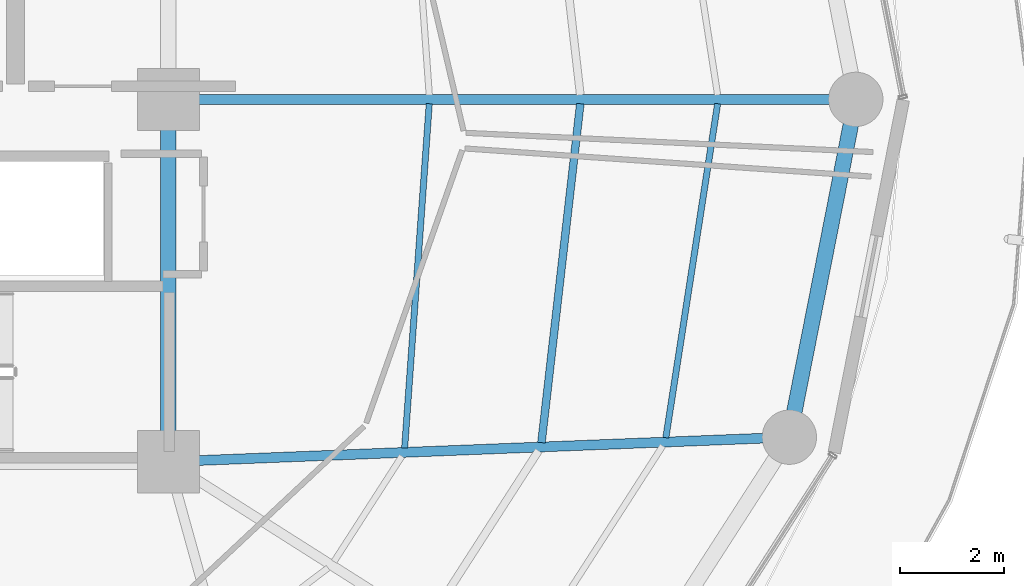
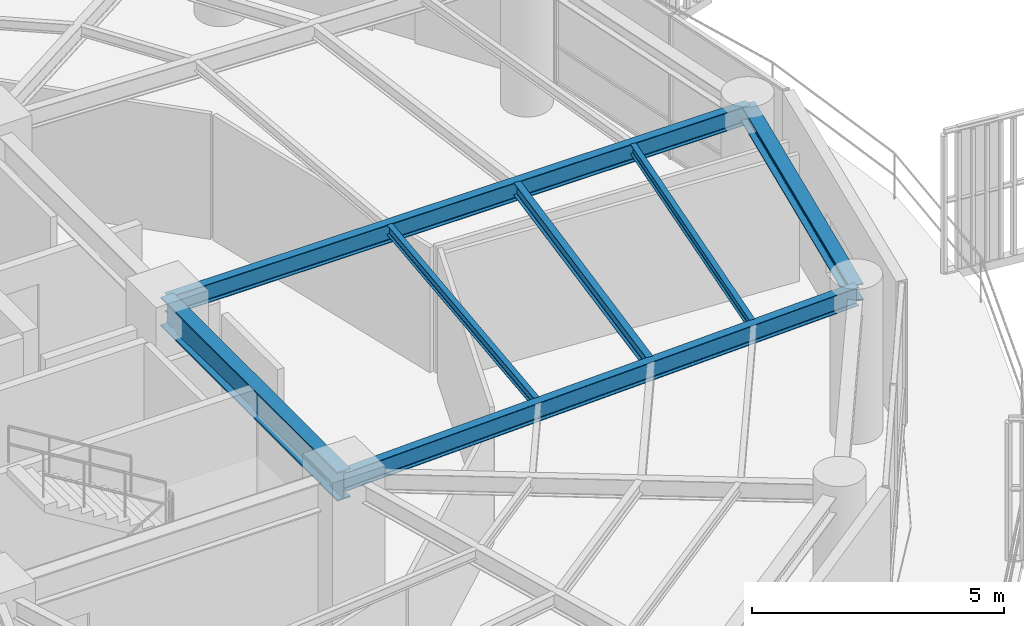
# One storey, part 13 of 31: 7 beams.
"""IFC4 building model written with IfcOpenShell, lengths in metres."""

from ifc_helpers import new_model, si_unit, direction, frame, origin, origin_2d, place, context, subcontext, project, spatial, i_section, extrude, material, material_profile, profile_set, type_object, element, save


model = new_model("IFC4")

# Units and contexts
model_context = context("Model", 3, precision=1e-05, world=origin(), true_north=direction((0.0, 1.0)))
body_context = subcontext(model_context, "Body", "Model", "MODEL_VIEW")
ifc_project = project(units=[si_unit("LENGTHUNIT", "METRE"), si_unit("AREAUNIT", "SQUARE_METRE"), si_unit("VOLUMEUNIT", "CUBIC_METRE"), si_unit("PLANEANGLEUNIT", "RADIAN"), si_unit("MASSUNIT", "GRAM", prefix="KILO")], contexts=[model_context])

# Site, building, storey
site_placement = place(None, origin())
site = spatial("IfcSite", under=ifc_project, at=site_placement, CompositionType="ELEMENT")
building_placement = place(site_placement, origin())
building = spatial("IfcBuilding", under=site, at=building_placement, Name="Kelanora Arch Commons", CompositionType="ELEMENT")
storey_placement = place(building_placement, frame((0.0, 0.0, 193.199951171875)))
storey = spatial("IfcBuildingStorey", under=building, at=storey_placement, Name="L49", CompositionType="ELEMENT", Elevation=193.199951171875)

# Beams
ifc_material = material(Name="Steel S355", Category="steel")
ifc_material_profile_1 = material_profile(ifc_material, i_section(OverallWidth=0.300048828125, OverallDepth=0.699951171875, WebThickness=0.01708984375, FlangeThickness=0.031982421875, FilletRadius=0.027099609375, at=origin_2d()), Name="HEB700")
ifc_profile_set_1 = profile_set([ifc_material_profile_1], Name="Steel S355")
beam_type_1 = type_object("IfcBeamType", Name="BM-CORE-HDR", PredefinedType="BEAM", material=ifc_profile_set_1)
beam_1_placement = place(storey_placement, frame((82.0, 51.0, 3.14013671875), z_axis=(0.0, 1.0, 0.0), x_axis=(-1.0, 0.0, 0.0)))
element("IfcBeam", 1, at=beam_1_placement, inside=storey, type_object=beam_type_1, Name="Core Header Beam 03 L49", PredefinedType="BEAM", context=body_context, shape_type="SweptSolid", body=[
    extrude(i_section(OverallWidth=0.300048828125, OverallDepth=0.699951171875, WebThickness=0.01708984375, FlangeThickness=0.031982421875, FilletRadius=0.027099609375, at=origin_2d()), origin(), (0.0, 0.0, 1.0), 7.0),
])
ifc_material_profile_2 = material_profile(ifc_material, i_section(OverallWidth=0.14990234375, OverallDepth=0.300048828125, WebThickness=0.007080078125, FlangeThickness=0.0107421875, FilletRadius=0.014892578125, at=origin_2d()), Name="IPE300")
ifc_profile_set_2 = profile_set([ifc_material_profile_2], Name="Steel S355")
beam_type_2 = type_object("IfcBeamType", Name="BM-JST-01", PredefinedType="JOIST", material=ifc_profile_set_2)
beam_2_placement = place(storey_placement, frame((89.207763671875, 51.368896484375, 3.340087890625), z_axis=(0.113891408177, 0.993493204377, 0.0), x_axis=(-0.993493204377, 0.113891408177, 0.0)))
element("IfcBeam", 2, at=beam_2_placement, inside=storey, type_object=beam_type_2, Name="Secondary Chord Joist BJB-34 L49", PredefinedType="JOIST", context=body_context, shape_type="SweptSolid", body=[
    extrude(i_section(OverallWidth=0.14990234375, OverallDepth=0.300048828125, WebThickness=0.007080078125, FlangeThickness=0.0107421875, FilletRadius=0.014892578125, at=origin_2d()), origin(), (0.0, 0.0, 1.0), 6.589599609375),
])
ifc_material_profile_3 = material_profile(ifc_material, i_section(OverallWidth=0.1201171875, OverallDepth=0.239990234375, WebThickness=0.006103515625, FlangeThickness=0.009765625, FilletRadius=0.014892578125, at=origin_2d()), Name="IPE240")
ifc_profile_set_3 = profile_set([ifc_material_profile_3], Name="Steel S355")
beam_type_3 = type_object("IfcBeamType", Name="BM-JST-02", PredefinedType="JOIST", material=ifc_profile_set_3)
beam_3_placement = place(storey_placement, frame((86.564697265625, 51.264892578125, 3.3701171875), z_axis=(0.07133032136, 0.997452748382, 0.0), x_axis=(-0.997452748382, 0.07133032136, 0.0)))
element("IfcBeam", 3, at=beam_3_placement, inside=storey, type_object=beam_type_3, Name="Secondary Chord Joist BJA-34 L49", PredefinedType="JOIST", context=body_context, shape_type="SweptSolid", body=[
    extrude(i_section(OverallWidth=0.1201171875, OverallDepth=0.239990234375, WebThickness=0.006103515625, FlangeThickness=0.009765625, FilletRadius=0.014892578125, at=origin_2d()), origin(), (0.0, 0.0, 1.0), 6.66748046875),
])
beam_4_placement = place(storey_placement, frame((91.6103515625, 51.46337890625, 3.3701171875), z_axis=(0.153256756152, 0.988186402808, 0.0), x_axis=(-0.988186402808, 0.153256756152, 0.0)))
element("IfcBeam", 4, at=beam_4_placement, inside=storey, type_object=beam_type_3, Name="Secondary Chord Joist BJC-34 L49", PredefinedType="JOIST", context=body_context, shape_type="SweptSolid", body=[
    extrude(i_section(OverallWidth=0.1201171875, OverallDepth=0.239990234375, WebThickness=0.006103515625, FlangeThickness=0.009765625, FilletRadius=0.014892578125, at=origin_2d()), origin(), (0.0, 0.0, 1.0), 6.52978515625),
])
ifc_material_profile_4 = material_profile(ifc_material, i_section(OverallWidth=0.18994140625, OverallDepth=0.449951171875, WebThickness=0.009521484375, FlangeThickness=0.0146484375, FilletRadius=0.02099609375, at=origin_2d()), Name="IPE450")
ifc_profile_set_4 = profile_set([ifc_material_profile_4], Name="Steel S355")
beam_type_4 = type_object("IfcBeamType", Name="BM-RAD-Z4", PredefinedType="BEAM", material=ifc_profile_set_4)
beam_5_placement = place(storey_placement, frame((82.0, 58.0, 3.26513671875), z_axis=(1.0, 0.0, 0.0), x_axis=(0.0, 1.0, 0.0)))
element("IfcBeam", 5, at=beam_5_placement, inside=storey, type_object=beam_type_4, Name="Radial Floor Girder BR-00 L49", PredefinedType="BEAM", context=body_context, shape_type="SweptSolid", body=[
    extrude(i_section(OverallWidth=0.18994140625, OverallDepth=0.449951171875, WebThickness=0.009521484375, FlangeThickness=0.0146484375, FilletRadius=0.02099609375, at=origin_2d()), origin(), (0.0, 0.0, 1.0), 13.280029296875),
])
beam_6_placement = place(storey_placement, frame((82.0, 51.0, 3.26513671875), z_axis=(0.999219142585, 0.03951082246, 0.0), x_axis=(-0.03951082246, 0.999219142585, 0.0)))
element("IfcBeam", 6, at=beam_6_placement, inside=storey, type_object=beam_type_4, Name="Radial Floor Girder BR-34 L49", PredefinedType="BEAM", context=body_context, shape_type="SweptSolid", body=[
    extrude(i_section(OverallWidth=0.18994140625, OverallDepth=0.449951171875, WebThickness=0.009521484375, FlangeThickness=0.0146484375, FilletRadius=0.02099609375, at=origin_2d()), origin(), (0.0, 0.0, 1.0), 12.005859375),
])
ifc_material_profile_5 = material_profile(ifc_material, i_section(OverallWidth=0.300048828125, OverallDepth=0.39990234375, WebThickness=0.013427734375, FlangeThickness=0.02392578125, FilletRadius=0.027099609375, at=origin_2d()), Name="HEB400")
ifc_profile_set_5 = profile_set([ifc_material_profile_5], Name="Steel S355")
beam_type_5 = type_object("IfcBeamType", Name="BM-SPN-Z4", PredefinedType="SPANDREL", material=ifc_profile_set_5)
beam_7_placement = place(storey_placement, frame((93.99658203125, 51.474365234375, 3.2900390625), z_axis=(0.192980724826, 0.981202547819, 0.0), x_axis=(-0.981202547819, 0.192980724826, 0.0)))
element("IfcBeam", 7, at=beam_7_placement, inside=storey, type_object=beam_type_5, Name="Perimeter Spandrel Beam BS-34 L49", PredefinedType="SPANDREL", context=body_context, shape_type="SweptSolid", body=[
    extrude(i_section(OverallWidth=0.300048828125, OverallDepth=0.39990234375, WebThickness=0.013427734375, FlangeThickness=0.02392578125, FilletRadius=0.027099609375, at=origin_2d()), origin(), (0.0, 0.0, 1.0), 6.650634765625),
])

save(model, "model.ifc")
